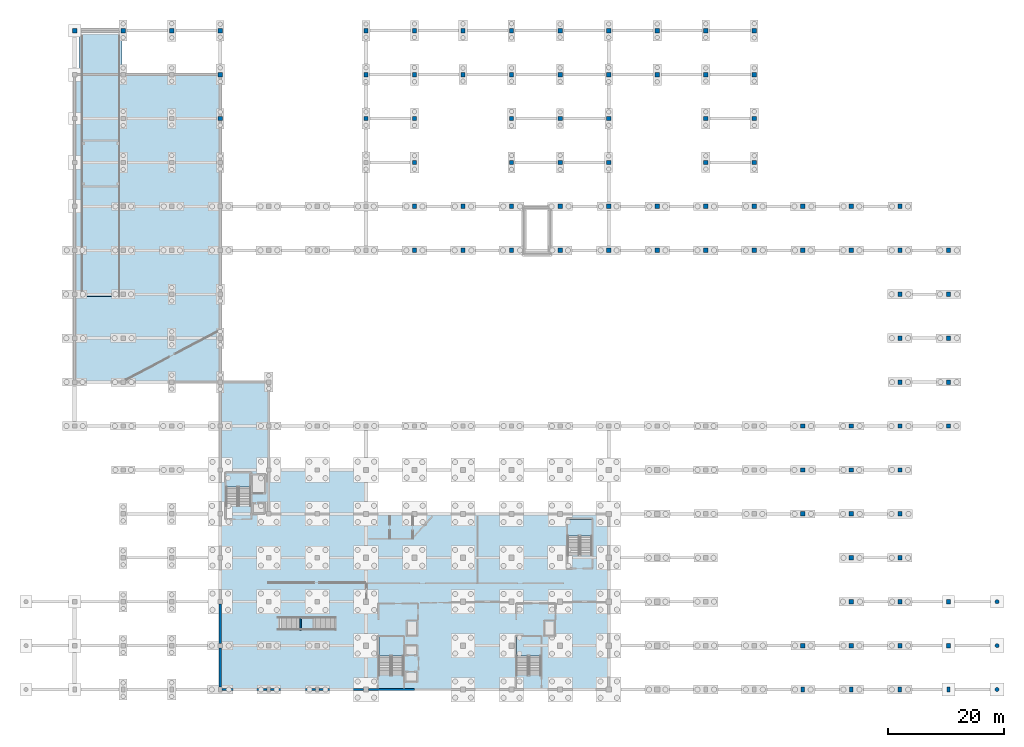
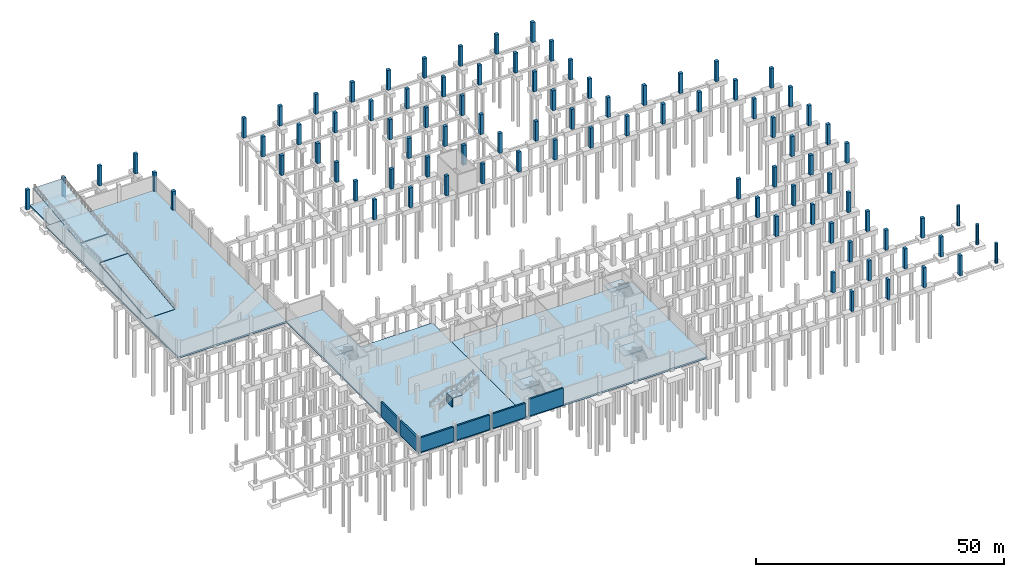
# One storey, part 11 of 22: 92 columns, 12 slabs, 7 walls, 5 elements without a shape of their own.
"""IFC4 building model written with IfcOpenShell, lengths in metres."""

from ifc_helpers import new_model, si_unit, direction, frame, frame_2d, origin, origin_2d, place, context, subcontext, project, spatial, polyline, rectangle, circle, outline, extrude, material, layer, layer_set, material_profile, profile_set, type_object, element, aggregate, save


model = new_model("IFC4")

# Units and contexts
model_context = context("Model", 3, precision=1e-05, world=origin(), true_north=direction((0.0, 1.0)))
body_context = subcontext(model_context, "Body", "Model", "MODEL_VIEW")
ifc_project = project(units=[si_unit("LENGTHUNIT", "METRE"), si_unit("AREAUNIT", "SQUARE_METRE"), si_unit("VOLUMEUNIT", "CUBIC_METRE"), si_unit("PLANEANGLEUNIT", "RADIAN"), si_unit("MASSUNIT", "GRAM", prefix="KILO")], contexts=[model_context])

# Site, building, storey
site_placement = place(None, origin())
site = spatial("IfcSite", under=ifc_project, at=site_placement, CompositionType="ELEMENT")
building_placement = place(site_placement, origin())
building = spatial("IfcBuilding", under=site, at=building_placement, Name="Zuvorla Pavilion Media Centre", CompositionType="ELEMENT")
storey_placement = place(building_placement, frame((0.0, 0.0, -4.5)))
storey = spatial("IfcBuildingStorey", under=building, at=storey_placement, Name="B01", CompositionType="ELEMENT", Elevation=-4.5)

# Columns
ifc_material_1 = material(Name="Concrete C40/50", Category="concrete")
ifc_material_profile_1 = material_profile(ifc_material_1, rectangle(XDim=0.60009765625, YDim=0.89990234375, at=origin_2d()), Name="RC 600x900")
ifc_profile_set_1 = profile_set([ifc_material_profile_1], Name="Concrete C40/50")
column_type_1 = type_object("IfcColumnType", Name="COL-PIL600", PredefinedType="PILASTER", material=ifc_profile_set_1)
for number, where, z_axis, x_axis, name in (
    (1, (142.39990234375, 6.0, -0.39990234375), (0.0, 0.0, 1.0), (1.0, 0.0, 0.0), "B01 column C07 80"),
    (2, (150.800048828125, 6.0, -0.39990234375), (0.0, 0.0, 1.0), (1.0, 0.0, 0.0), "B01 column C07 85"),
    (3, (159.199951171875, 6.0, -0.39990234375), (0.0, 0.0, 1.0), (1.0, 0.0, 0.0), "B01 column C07 90"),
    (4, (167.60009765625, 6.0, -0.39990234375), (0.0, 0.0, 1.0), (1.0, 0.0, 0.0), "B01 column C07 95"),
):
    element("IfcColumn", number, at=place(storey_placement, frame(where, z_axis=z_axis, x_axis=x_axis)), inside=storey, type_object=column_type_1, Name=name, PredefinedType="PILASTER", context=body_context, shape_type="SweptSolid", body=[
        extrude(rectangle(XDim=0.60009765625, YDim=0.89990234375, at=origin_2d()), origin(), (0.0, 0.0, 1.0), 4.89990234375),
    ])
ifc_material_profile_2 = material_profile(ifc_material_1, rectangle(XDim=0.75, YDim=0.75, at=origin_2d()), Name="RC 750x750")
ifc_profile_set_2 = profile_set([ifc_material_profile_2], Name="Concrete C40/50")
column_type_2 = type_object("IfcColumnType", Name="COL-RC750", PredefinedType="COLUMN", material=ifc_profile_set_2)
for number, where, z_axis, x_axis, name in (
    (5, (142.39990234375, 13.60009765625, -0.39990234375), (0.0, 0.0, 1.0), (1.0, 0.0, 0.0), "B01 column C02 178"),
    (6, (150.800048828125, 13.60009765625, -0.39990234375), (0.0, 0.0, 1.0), (1.0, 0.0, 0.0), "B01 column C02 183"),
    (7, (159.199951171875, 13.60009765625, -0.39990234375), (0.0, 0.0, 1.0), (1.0, 0.0, 0.0), "B01 column C02 188"),
    (8, (167.60009765625, 13.60009765625, -0.39990234375), (0.0, 0.0, 1.0), (1.0, 0.0, 0.0), "B01 column C02 193"),
    (9, (150.800048828125, 21.199951171875, -0.39990234375), (0.0, 0.0, 1.0), (1.0, 0.0, 0.0), "B01 column C02 274"),
    (10, (159.199951171875, 21.199951171875, -0.39990234375), (0.0, 0.0, 1.0), (1.0, 0.0, 0.0), "B01 column C02 279"),
    (11, (167.60009765625, 21.199951171875, -0.39990234375), (0.0, 0.0, 1.0), (1.0, 0.0, 0.0), "B01 column C02 284"),
    (12, (150.800048828125, 28.800048828125, -0.39990234375), (0.0, 0.0, 1.0), (1.0, 0.0, 0.0), "B01 column C02 369"),
    (13, (159.199951171875, 28.800048828125, -0.39990234375), (0.0, 0.0, 1.0), (1.0, 0.0, 0.0), "B01 column C02 374"),
    (14, (142.39990234375, 36.39990234375, -0.39990234375), (0.0, 0.0, 1.0), (1.0, 0.0, 0.0), "B01 column C02 464"),
    (15, (150.800048828125, 36.39990234375, -0.39990234375), (0.0, 0.0, 1.0), (1.0, 0.0, 0.0), "B01 column C02 469"),
    (16, (159.199951171875, 36.39990234375, -0.39990234375), (0.0, 0.0, 1.0), (1.0, 0.0, 0.0), "B01 column C02 474"),
    (17, (142.39990234375, 44.0, -0.39990234375), (0.0, 0.0, 1.0), (1.0, 0.0, 0.0), "B01 column C02 558"),
    (18, (150.800048828125, 44.0, -0.39990234375), (0.0, 0.0, 1.0), (1.0, 0.0, 0.0), "B01 column C02 563"),
    (19, (159.199951171875, 44.0, -0.39990234375), (0.0, 0.0, 1.0), (1.0, 0.0, 0.0), "B01 column C02 568"),
    (20, (142.39990234375, 51.60009765625, -0.39990234375), (0.0, 0.0, 1.0), (1.0, 0.0, 0.0), "B01 column C02 648"),
    (21, (150.800048828125, 51.60009765625, -0.39990234375), (0.0, 0.0, 1.0), (1.0, 0.0, 0.0), "B01 column C02 653"),
    (22, (159.199951171875, 51.60009765625, -0.39990234375), (0.0, 0.0, 1.0), (1.0, 0.0, 0.0), "B01 column C02 658"),
    (23, (167.60009765625, 51.60009765625, -0.39990234375), (0.0, 0.0, 1.0), (1.0, 0.0, 0.0), "B01 column C02 663"),
    (24, (159.199951171875, 59.199951171875, -0.39990234375), (0.0, 0.0, 1.0), (1.0, 0.0, 0.0), "B01 column C02 684"),
    (25, (167.60009765625, 59.199951171875, -0.39990234375), (0.0, 0.0, 1.0), (1.0, 0.0, 0.0), "B01 column C02 689"),
    (26, (159.199951171875, 66.800048828125, -0.39990234375), (0.0, 0.0, 1.0), (1.0, 0.0, 0.0), "B01 column C02 708"),
    (27, (167.60009765625, 66.800048828125, -0.39990234375), (0.0, 0.0, 1.0), (1.0, 0.0, 0.0), "B01 column C02 713"),
    (28, (159.199951171875, 74.39990234375, -0.39990234375), (0.0, 0.0, 1.0), (1.0, 0.0, 0.0), "B01 column C02 732"),
    (29, (167.60009765625, 74.39990234375, -0.39990234375), (0.0, 0.0, 1.0), (1.0, 0.0, 0.0), "B01 column C02 737"),
    (30, (75.199951171875, 82.0, -0.39990234375), (0.0, 0.0, 1.0), (1.0, 0.0, 0.0), "B01 column C02 777"),
    (31, (83.60009765625, 82.0, -0.39990234375), (0.0, 0.0, 1.0), (1.0, 0.0, 0.0), "B01 column C02 782"),
    (32, (92.0, 82.0, -0.39990234375), (0.0, 0.0, 1.0), (1.0, 0.0, 0.0), "B01 column C02 787"),
    (33, (100.39990234375, 82.0, -0.39990234375), (0.0, 0.0, 1.0), (1.0, 0.0, 0.0), "B01 column C02 792"),
    (34, (108.800048828125, 82.0, -0.39990234375), (0.0, 0.0, 1.0), (1.0, 0.0, 0.0), "B01 column C02 797"),
    (35, (117.199951171875, 82.0, -0.39990234375), (0.0, 0.0, 1.0), (1.0, 0.0, 0.0), "B01 column C02 802"),
    (36, (125.60009765625, 82.0, -0.39990234375), (0.0, 0.0, 1.0), (1.0, 0.0, 0.0), "B01 column C02 807"),
    (37, (134.0, 82.0, -0.39990234375), (0.0, 0.0, 1.0), (1.0, 0.0, 0.0), "B01 column C02 812"),
    (38, (142.39990234375, 82.0, -0.39990234375), (0.0, 0.0, 1.0), (1.0, 0.0, 0.0), "B01 column C02 817"),
    (39, (150.800048828125, 82.0, -0.39990234375), (0.0, 0.0, 1.0), (1.0, 0.0, 0.0), "B01 column C02 822"),
    (40, (159.199951171875, 82.0, -0.39990234375), (0.0, 0.0, 1.0), (1.0, 0.0, 0.0), "B01 column C02 827"),
    (41, (167.60009765625, 82.0, -0.39990234375), (0.0, 0.0, 1.0), (1.0, 0.0, 0.0), "B01 column C02 832"),
    (42, (75.199951171875, 89.60009765625, -0.39990234375), (0.0, 0.0, 1.0), (1.0, 0.0, 0.0), "B01 column C02 869"),
    (43, (83.60009765625, 89.60009765625, -0.39990234375), (0.0, 0.0, 1.0), (1.0, 0.0, 0.0), "B01 column C02 874"),
    (44, (92.0, 89.60009765625, -0.39990234375), (0.0, 0.0, 1.0), (1.0, 0.0, 0.0), "B01 column C02 879"),
    (45, (100.39990234375, 89.60009765625, -0.39990234375), (0.0, 0.0, 1.0), (1.0, 0.0, 0.0), "B01 column C02 884"),
    (46, (108.800048828125, 89.60009765625, -0.39990234375), (0.0, 0.0, 1.0), (1.0, 0.0, 0.0), "B01 column C02 889"),
    (47, (117.199951171875, 89.60009765625, -0.39990234375), (0.0, 0.0, 1.0), (1.0, 0.0, 0.0), "B01 column C02 894"),
    (48, (125.60009765625, 89.60009765625, -0.39990234375), (0.0, 0.0, 1.0), (1.0, 0.0, 0.0), "B01 column C02 899"),
    (49, (134.0, 89.60009765625, -0.39990234375), (0.0, 0.0, 1.0), (1.0, 0.0, 0.0), "B01 column C02 904"),
    (50, (142.39990234375, 89.60009765625, -0.39990234375), (0.0, 0.0, 1.0), (1.0, 0.0, 0.0), "B01 column C02 909"),
    (51, (150.800048828125, 89.60009765625, -0.39990234375), (0.0, 0.0, 1.0), (1.0, 0.0, 0.0), "B01 column C02 914"),
    (52, (159.199951171875, 89.60009765625, -0.39990234375), (0.0, 0.0, 1.0), (1.0, 0.0, 0.0), "B01 column C02 919"),
    (53, (75.199951171875, 97.199951171875, -0.39990234375), (0.0, 0.0, 1.0), (1.0, 0.0, 0.0), "B01 column C02 935"),
    (54, (92.0, 97.199951171875, -0.39990234375), (0.0, 0.0, 1.0), (1.0, 0.0, 0.0), "B01 column C02 938"),
    (55, (100.39990234375, 97.199951171875, -0.39990234375), (0.0, 0.0, 1.0), (1.0, 0.0, 0.0), "B01 column C02 941"),
    (56, (108.800048828125, 97.199951171875, -0.39990234375), (0.0, 0.0, 1.0), (1.0, 0.0, 0.0), "B01 column C02 944"),
    (57, (125.60009765625, 97.199951171875, -0.39990234375), (0.0, 0.0, 1.0), (1.0, 0.0, 0.0), "B01 column C02 947"),
    (58, (134.0, 97.199951171875, -0.39990234375), (0.0, 0.0, 1.0), (1.0, 0.0, 0.0), "B01 column C02 950"),
    (59, (41.60009765625, 104.800048828125, -0.39990234375), (0.0, 0.0, 1.0), (1.0, 0.0, 0.0), "B01 column C02 959"),
    (60, (66.800048828125, 104.800048828125, -0.39990234375), (0.0, 0.0, 1.0), (1.0, 0.0, 0.0), "B01 column C02 961"),
    (61, (75.199951171875, 104.800048828125, -0.39990234375), (0.0, 0.0, 1.0), (1.0, 0.0, 0.0), "B01 column C02 964"),
    (62, (92.0, 104.800048828125, -0.39990234375), (0.0, 0.0, 1.0), (1.0, 0.0, 0.0), "B01 column C02 967"),
    (63, (100.39990234375, 104.800048828125, -0.39990234375), (0.0, 0.0, 1.0), (1.0, 0.0, 0.0), "B01 column C02 970"),
    (64, (108.800048828125, 104.800048828125, -0.39990234375), (0.0, 0.0, 1.0), (1.0, 0.0, 0.0), "B01 column C02 973"),
    (65, (125.60009765625, 104.800048828125, -0.39990234375), (0.0, 0.0, 1.0), (1.0, 0.0, 0.0), "B01 column C02 976"),
    (66, (134.0, 104.800048828125, -0.39990234375), (0.0, 0.0, 1.0), (1.0, 0.0, 0.0), "B01 column C02 979"),
    (67, (41.60009765625, 112.39990234375, -0.39990234375), (0.0, 0.0, 1.0), (1.0, 0.0, 0.0), "B01 column C02 988"),
    (68, (66.800048828125, 112.39990234375, -0.39990234375), (0.0, 0.0, 1.0), (1.0, 0.0, 0.0), "B01 column C02 990"),
    (69, (75.199951171875, 112.39990234375, -0.39990234375), (0.0, 0.0, 1.0), (1.0, 0.0, 0.0), "B01 column C02 993"),
    (70, (83.60009765625, 112.39990234375, -0.39990234375), (0.0, 0.0, 1.0), (1.0, 0.0, 0.0), "B01 column C02 996"),
    (71, (92.0, 112.39990234375, -0.39990234375), (0.0, 0.0, 1.0), (1.0, 0.0, 0.0), "B01 column C02 999"),
    (72, (100.39990234375, 112.39990234375, -0.39990234375), (0.0, 0.0, 1.0), (1.0, 0.0, 0.0), "B01 column C02 1002"),
    (73, (108.800048828125, 112.39990234375, -0.39990234375), (0.0, 0.0, 1.0), (1.0, 0.0, 0.0), "B01 column C02 1005"),
    (74, (117.199951171875, 112.39990234375, -0.39990234375), (0.0, 0.0, 1.0), (1.0, 0.0, 0.0), "B01 column C02 1008"),
    (75, (125.60009765625, 112.39990234375, -0.39990234375), (0.0, 0.0, 1.0), (1.0, 0.0, 0.0), "B01 column C02 1011"),
    (76, (134.0, 112.39990234375, -0.39990234375), (0.0, 0.0, 1.0), (1.0, 0.0, 0.0), "B01 column C02 1014"),
    (77, (16.39990234375, 120.0, -0.39990234375), (0.0, 0.0, 1.0), (1.0, 0.0, 0.0), "B01 column C02 1017"),
    (78, (24.800048828125, 120.0, -0.39990234375), (0.0, 0.0, 1.0), (1.0, 0.0, 0.0), "B01 column C02 1019"),
    (79, (33.199951171875, 120.0, -0.39990234375), (0.0, 0.0, 1.0), (1.0, 0.0, 0.0), "B01 column C02 1021"),
    (80, (41.60009765625, 120.0, -0.39990234375), (0.0, 0.0, 1.0), (1.0, 0.0, 0.0), "B01 column C02 1023"),
    (81, (66.800048828125, 120.0, -0.39990234375), (0.0, 0.0, 1.0), (1.0, 0.0, 0.0), "B01 column C02 1025"),
    (82, (75.199951171875, 120.0, -0.39990234375), (0.0, 0.0, 1.0), (1.0, 0.0, 0.0), "B01 column C02 1028"),
    (83, (83.60009765625, 120.0, -0.39990234375), (0.0, 0.0, 1.0), (1.0, 0.0, 0.0), "B01 column C02 1031"),
    (84, (92.0, 120.0, -0.39990234375), (0.0, 0.0, 1.0), (1.0, 0.0, 0.0), "B01 column C02 1034"),
    (85, (100.39990234375, 120.0, -0.39990234375), (0.0, 0.0, 1.0), (1.0, 0.0, 0.0), "B01 column C02 1037"),
    (86, (108.800048828125, 120.0, -0.39990234375), (0.0, 0.0, 1.0), (1.0, 0.0, 0.0), "B01 column C02 1040"),
    (87, (117.199951171875, 120.0, -0.39990234375), (0.0, 0.0, 1.0), (1.0, 0.0, 0.0), "B01 column C02 1043"),
    (88, (125.60009765625, 120.0, -0.39990234375), (0.0, 0.0, 1.0), (1.0, 0.0, 0.0), "B01 column C02 1046"),
    (89, (134.0, 120.0, -0.39990234375), (0.0, 0.0, 1.0), (1.0, 0.0, 0.0), "B01 column C02 1049"),
):
    element("IfcColumn", number, at=place(storey_placement, frame(where, z_axis=z_axis, x_axis=x_axis)), inside=storey, type_object=column_type_2, Name=name, PredefinedType="COLUMN", context=body_context, shape_type="SweptSolid", body=[
        extrude(rectangle(XDim=0.75, YDim=0.75, at=origin_2d()), origin(), (0.0, 0.0, 1.0), 4.89990234375),
    ])
ifc_material_profile_3 = material_profile(ifc_material_1, circle(Radius=0.35009765625, at=origin_2d()), Name="RC D700")
ifc_profile_set_3 = profile_set([ifc_material_profile_3], Name="Concrete C40/50")
column_type_3 = type_object("IfcColumnType", Name="COL-RCD700", PredefinedType="COLUMN", material=ifc_profile_set_3)
for number, where, z_axis, x_axis, name in (
    (90, (176.0, 6.0, -0.39990234375), (0.0, 0.0, 1.0), (1.0, 0.0, 0.0), "B01 column C06 97"),
    (91, (176.0, 13.60009765625, -0.39990234375), (0.0, 0.0, 1.0), (1.0, 0.0, 0.0), "B01 column C06 195"),
    (92, (176.0, 21.199951171875, -0.39990234375), (0.0, 0.0, 1.0), (1.0, 0.0, 0.0), "B01 column C06 286"),
):
    element("IfcColumn", number, at=place(storey_placement, frame(where, z_axis=z_axis, x_axis=x_axis)), inside=storey, type_object=column_type_3, Name=name, PredefinedType="COLUMN", context=body_context, shape_type="SweptSolid", body=[
        extrude(circle(Radius=0.35009765625, at=origin_2d()), origin(), (0.0, 0.0, 1.0), 4.89990234375),
    ])

# Slabs
ifc_layer_1 = layer(ifc_material_1, 0.419921875)
ifc_layer_set_1 = layer_set([ifc_layer_1], Name="Concrete C40/50")
slab_type_1 = type_object("IfcSlabType", Name="SLB-BASE-400", PredefinedType="BASESLAB", material=ifc_layer_set_1)
slab_1_placement = place(storey_placement, frame((0.0, 0.0, -0.419921875)))
element("IfcSlab", 93, at=slab_1_placement, inside=storey, type_object=slab_type_1, Name="B01 base slab CB", PredefinedType="BASESLAB", context=body_context, shape_type="SweptSolid", body=[
    extrude(outline(polyline([(108.800048828125, 6.0), (108.800048828125, 36.39990234375), (66.800048828125, 36.39990234375), (66.800048828125, 6.0), (108.800048828125, 6.0)])), origin(), (0.0, 0.0, 1.0), 0.419921875),
])
slab_2_placement = place(storey_placement, frame((0.0, 0.0, -0.419921875)))
element("IfcSlab", 94, at=slab_2_placement, inside=storey, type_object=slab_type_1, Name="B01 base slab SW", PredefinedType="BASESLAB", context=body_context, shape_type="SweptSolid", body=[
    extrude(outline(polyline([(66.800048828125, 44.0), (66.800048828125, 6.0), (41.60009765625, 6.0), (41.60009765625, 44.0), (41.60009765625, 59.199951171875), (50.0, 59.199951171875), (50.0, 44.0), (66.800048828125, 44.0)])), origin(), (0.0, 0.0, 1.0), 0.419921875),
])
slab_3_placement = place(storey_placement, frame((0.0, 0.0, -0.419921875)))
element("IfcSlab", 95, at=slab_3_placement, inside=storey, type_object=slab_type_1, Name="B01 base slab NW", PredefinedType="BASESLAB", context=body_context, shape_type="SweptSolid", body=[
    extrude(outline(polyline([(16.39990234375, 59.199951171875), (16.39990234375, 112.39990234375), (41.60009765625, 112.39990234375), (41.60009765625, 59.199951171875), (16.39990234375, 59.199951171875)]), holes=[polyline([(24.199951171875, 76.64990234375), (17.60009765625, 76.64990234375), (17.60009765625, 74.0), (24.199951171875, 74.0), (24.199951171875, 76.64990234375)])]), origin(), (0.0, 0.0, 1.0), 0.419921875),
])
slab_4_placement = place(storey_placement, frame((0.0, 0.0, -0.39990234375)))
element("IfcSlab", 96, at=slab_4_placement, inside=storey, type_object=slab_type_1, Name="B01 vehicle ramp north base pad", PredefinedType="BASESLAB", context=body_context, shape_type="SweptSolid", body=[
    extrude(outline(polyline([(17.199951171875, 112.39990234375), (24.60009765625, 112.39990234375), (24.60009765625, 120.39990234375), (17.199951171875, 120.39990234375), (17.199951171875, 112.39990234375)])), origin(), (0.0, 0.0, 1.0), 0.39990234375),
])
ifc_layer_2 = layer(ifc_material_1, 0.280029296875)
ifc_layer_set_2 = layer_set([ifc_layer_2], Name="Concrete C40/50")
slab_type_2 = type_object("IfcSlabType", Name="SLB-FLR-280", PredefinedType="FLOOR", material=ifc_layer_set_2)
slab_5_placement = place(storey_placement, frame((17.60009765625, 74.0400390625, 0.0048828125), z_axis=(0.0, -0.116850158453, 0.993149555943), x_axis=(1.0, 0.0, 0.0)))
element("IfcSlab", 97, at=slab_5_placement, inside=storey, type_object=slab_type_2, Name="B01 structural vehicle ramp slab F1", PredefinedType="FLOOR", context=body_context, shape_type="SweptSolid", body=[
    extrude(outline(polyline([(0.0, 0.0), (6.599853515625, 0.0), (6.599853515625, 19.075745688058163), (0.0, 19.075745688058163), (0.0, 0.0)])), origin(), (0.0, 0.0, -1.0), 0.280029296875),
])
slab_6_placement = place(storey_placement, frame((17.60009765625, 101.014892578125, 2.26611328125), z_axis=(0.0, -0.116858545868, 0.993148569076), x_axis=(1.0, 0.0, 0.0)))
element("IfcSlab", 98, at=slab_6_placement, inside=storey, type_object=slab_type_2, Name="B01 structural vehicle ramp slab F2", PredefinedType="FLOOR", context=body_context, shape_type="SweptSolid", body=[
    extrude(outline(polyline([(0.0, 0.0), (6.599853515625, 0.0), (6.599853515625, 18.834118788897307), (0.0, 18.834118788897307), (0.0, 0.0)])), origin(), (0.0, 0.0, -1.0), 0.280029296875),
])

# Stair, slab
stair_type_1 = type_object("IfcStairType", Name="STR-DOG-450", PredefinedType="TWO_STRAIGHT_RUN_STAIR", material=ifc_material_1)
stair_1_placement = place(storey_placement, origin())
stair_1 = element("IfcStair", 99, at=stair_1_placement, inside=storey, type_object=stair_type_1, Name="B01 exit stair ST-01", PredefinedType="TWO_STRAIGHT_RUN_STAIR")
ifc_layer_3 = layer(ifc_material_1, 0.199951171875)
ifc_layer_set_3 = layer_set([ifc_layer_3], Name="Concrete C40/50")
slab_type_3 = type_object("IfcSlabType", Name="SLB-LND-200", PredefinedType="LANDING", material=ifc_layer_set_3)
slab_7_placement = place(storey_placement, frame((0.0, 0.0, 2.050048828125)))
slab_7 = element("IfcSlab", 100, at=slab_7_placement, type_object=slab_type_3, Name="ST-01 landing 1", PredefinedType="LANDING", context=body_context, shape_type="SweptSolid", body=[
    extrude(outline(polyline([(69.030029296875, 11.7900390625), (73.27001953125, 11.7900390625), (73.27001953125, 15.169921875), (69.030029296875, 15.169921875), (69.030029296875, 11.7900390625)])), origin(), (0.0, 0.0, 1.0), 0.199951171875),
])
aggregate(stair_1, [slab_7])

stair_2_placement = place(storey_placement, origin())
stair_2 = element("IfcStair", 101, at=stair_2_placement, inside=storey, type_object=stair_type_1, Name="B01 exit stair ST-02", PredefinedType="TWO_STRAIGHT_RUN_STAIR")
slab_8_placement = place(storey_placement, frame((0.0, 0.0, 2.050048828125)))
slab_8 = element("IfcSlab", 102, at=slab_8_placement, type_object=slab_type_3, Name="ST-02 landing 1", PredefinedType="LANDING", context=body_context, shape_type="SweptSolid", body=[
    extrude(outline(polyline([(92.830078125, 11.7900390625), (97.070068359375, 11.7900390625), (97.070068359375, 15.169921875), (92.830078125, 15.169921875), (92.830078125, 11.7900390625)])), origin(), (0.0, 0.0, 1.0), 0.199951171875),
])
aggregate(stair_2, [slab_8])

stair_3_placement = place(storey_placement, origin())
stair_3 = element("IfcStair", 103, at=stair_3_placement, inside=storey, type_object=stair_type_1, Name="B01 exit stair ST-03", PredefinedType="TWO_STRAIGHT_RUN_STAIR")
slab_9_placement = place(storey_placement, frame((0.0, 0.0, 2.050048828125)))
slab_9 = element("IfcSlab", 104, at=slab_9_placement, type_object=slab_type_3, Name="ST-03 landing 1", PredefinedType="LANDING", context=body_context, shape_type="SweptSolid", body=[
    extrude(outline(polyline([(42.6298828125, 41.0400390625), (46.8701171875, 41.0400390625), (46.8701171875, 43.469970703125), (42.6298828125, 43.469970703125), (42.6298828125, 41.0400390625)])), origin(), (0.0, 0.0, 1.0), 0.199951171875),
])
aggregate(stair_3, [slab_9])

stair_4_placement = place(storey_placement, origin())
stair_4 = element("IfcStair", 105, at=stair_4_placement, inside=storey, type_object=stair_type_1, Name="B01 exit stair ST-04", PredefinedType="TWO_STRAIGHT_RUN_STAIR")
slab_10_placement = place(storey_placement, frame((0.0, 0.0, 2.050048828125)))
slab_10 = element("IfcSlab", 106, at=slab_10_placement, type_object=slab_type_3, Name="ST-04 landing 1", PredefinedType="LANDING", context=body_context, shape_type="SweptSolid", body=[
    extrude(outline(polyline([(101.679931640625, 32.5400390625), (105.919921875, 32.5400390625), (105.919921875, 35.469970703125), (101.679931640625, 35.469970703125), (101.679931640625, 32.5400390625)])), origin(), (0.0, 0.0, 1.0), 0.199951171875),
])
aggregate(stair_4, [slab_10])

ifc_material_2 = material(Name="Precast concrete C40/50", Category="concrete")
stair_type_2 = type_object("IfcStairType", Name="STR-FEA-06", PredefinedType="STRAIGHT_RUN_STAIR", material=ifc_material_2)
stair_5_placement = place(storey_placement, origin())
stair_5 = element("IfcStair", 107, at=stair_5_placement, inside=storey, type_object=stair_type_2, Name="B01 feature stair ST-06", PredefinedType="STRAIGHT_RUN_STAIR")
slab_11_placement = place(storey_placement, frame((0.0, 0.0, 2.050048828125)))
slab_11 = element("IfcSlab", 108, at=slab_11_placement, type_object=slab_type_3, Name="ST-06 landing 1", PredefinedType="LANDING", context=body_context, shape_type="SweptSolid", body=[
    extrude(outline(polyline([(55.35009765625, 16.300048828125), (57.7900390625, 16.300048828125), (57.7900390625, 18.5), (55.35009765625, 18.5), (55.35009765625, 16.300048828125)])), origin(), (0.0, 0.0, 1.0), 0.199951171875),
])
aggregate(stair_5, [slab_11])

# Slab
slab_12_placement = place(storey_placement, frame((0.0, 0.0, 1.969970703125)))
element("IfcSlab", 109, at=slab_12_placement, inside=storey, type_object=slab_type_3, Name="Car park vehicle ramp R1 mid landing", PredefinedType="LANDING", context=body_context, shape_type="SweptSolid", body=[
    extrude(outline(polyline([(17.60009765625, 93.10498046875), (24.199951171875, 93.10498046875), (24.199951171875, 100.89501953125), (17.60009765625, 100.89501953125), (17.60009765625, 93.10498046875)])), origin(), (0.0, 0.0, 1.0), 0.280029296875),
])

# Walls
ifc_layer_4 = layer(ifc_material_1, 0.25)
ifc_layer_set_4 = layer_set([ifc_layer_4], Name="Concrete C40/50")
wall_type_1 = type_object("IfcWallType", Name="WL-COR-250", PredefinedType="SHEAR", material=ifc_layer_set_4)
wall_1_placement = place(storey_placement, frame((55.449951171875, 16.300048828125, 0.0), z_axis=(0.0, 0.0, 1.0), x_axis=(0.0, 1.0, 0.0)))
element("IfcWall", 110, at=wall_1_placement, inside=storey, type_object=wall_type_1, Name="B01 shear wall CW25 348", PredefinedType="SHEAR", context=body_context, shape_type="SweptSolid", body=[
    extrude(rectangle(XDim=2.199951171875, YDim=0.25, at=frame_2d((1.10009765625, 0.0))), origin(), (0.0, 0.0, 1.0), 2.06005859375),
])
ifc_material_3 = material(Name="Dark charcoal terracotta concrete C40/50", Category="masonry")
ifc_layer_5 = layer(ifc_material_3, 0.3798828125)
ifc_layer_set_5 = layer_set([ifc_layer_5], Name="Dark charcoal terracotta concrete C40/50")
wall_type_2 = type_object("IfcWallType", Name="WL-EXT-380", PredefinedType="SOLIDWALL", material=ifc_layer_set_5)
for number, where, z_axis, x_axis, name in (
    (111, (41.89990234375, 6.0, 0.0), (0.0, 0.0, 1.0), (1.0, 0.0, 0.0), "B01 exterior solid wall EW01 1"),
    (112, (50.300048828125, 6.0, 0.0), (0.0, 0.0, 1.0), (1.0, 0.0, 0.0), "B01 exterior solid wall EW01 2"),
):
    element("IfcWall", number, at=place(storey_placement, frame(where, z_axis=z_axis, x_axis=x_axis)), inside=storey, type_object=wall_type_2, Name=name, PredefinedType="SOLIDWALL", context=body_context, shape_type="SweptSolid", body=[
        extrude(rectangle(XDim=7.800048828125, YDim=0.3798828125, at=frame_2d((3.89990234375, 0.0))), origin(), (0.0, 0.0, 1.0), 3.51025390625),
    ])
wall_2_placement = place(storey_placement, frame((58.699951171875, 6.0, 0.0), z_axis=(0.0, 0.0, 1.0), x_axis=(1.0, 0.0, 0.0)))
element("IfcWall", 113, at=wall_2_placement, inside=storey, type_object=wall_type_2, Name="B01 exterior solid wall EW01 3", PredefinedType="SOLIDWALL", context=body_context, shape_type="SweptSolid", body=[
    extrude(rectangle(XDim=7.650146484375, YDim=0.3798828125, at=frame_2d((3.8251953125, 0.0))), origin(), (0.0, 0.0, 1.0), 3.51025390625),
])
wall_3_placement = place(storey_placement, frame((67.25, 6.0, 0.0), z_axis=(0.0, 0.0, 1.0), x_axis=(1.0, 0.0, 0.0)))
element("IfcWall", 114, at=wall_3_placement, inside=storey, type_object=wall_type_2, Name="B01 exterior solid wall EW01 4", PredefinedType="SOLIDWALL", context=body_context, shape_type="SweptSolid", body=[
    extrude(rectangle(XDim=7.949951171875, YDim=0.3798828125, at=frame_2d((3.97509765625, 0.0))), origin(), (0.0, 0.0, 1.0), 4.159912109375),
])
wall_4_placement = place(storey_placement, frame((41.60009765625, 20.824951171875, 0.0), z_axis=(0.0, 0.0, 1.0), x_axis=(0.0, -1.0, 0.0)))
element("IfcWall", 115, at=wall_4_placement, inside=storey, type_object=wall_type_2, Name="B01 exterior solid wall EW01 49", PredefinedType="SOLIDWALL", context=body_context, shape_type="SweptSolid", body=[
    extrude(rectangle(XDim=6.849853515625, YDim=0.3798828125, at=frame_2d((3.4248046875, 0.0))), origin(), (0.0, 0.0, 1.0), 3.51025390625),
])
wall_5_placement = place(storey_placement, frame((41.60009765625, 13.22509765625, 0.0), z_axis=(0.0, 0.0, 1.0), x_axis=(0.0, -1.0, 0.0)))
element("IfcWall", 116, at=wall_5_placement, inside=storey, type_object=wall_type_2, Name="B01 exterior solid wall EW01 50", PredefinedType="SOLIDWALL", context=body_context, shape_type="SweptSolid", body=[
    extrude(rectangle(XDim=6.775146484375, YDim=0.3798828125, at=frame_2d((3.3876953125, 0.0))), origin(), (0.0, 0.0, 1.0), 3.51025390625),
])

save(model, "model.ifc")
